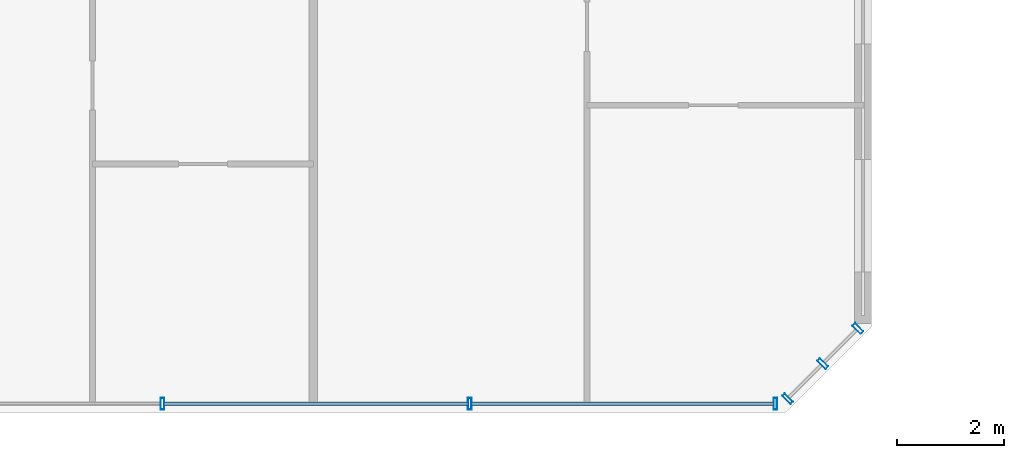
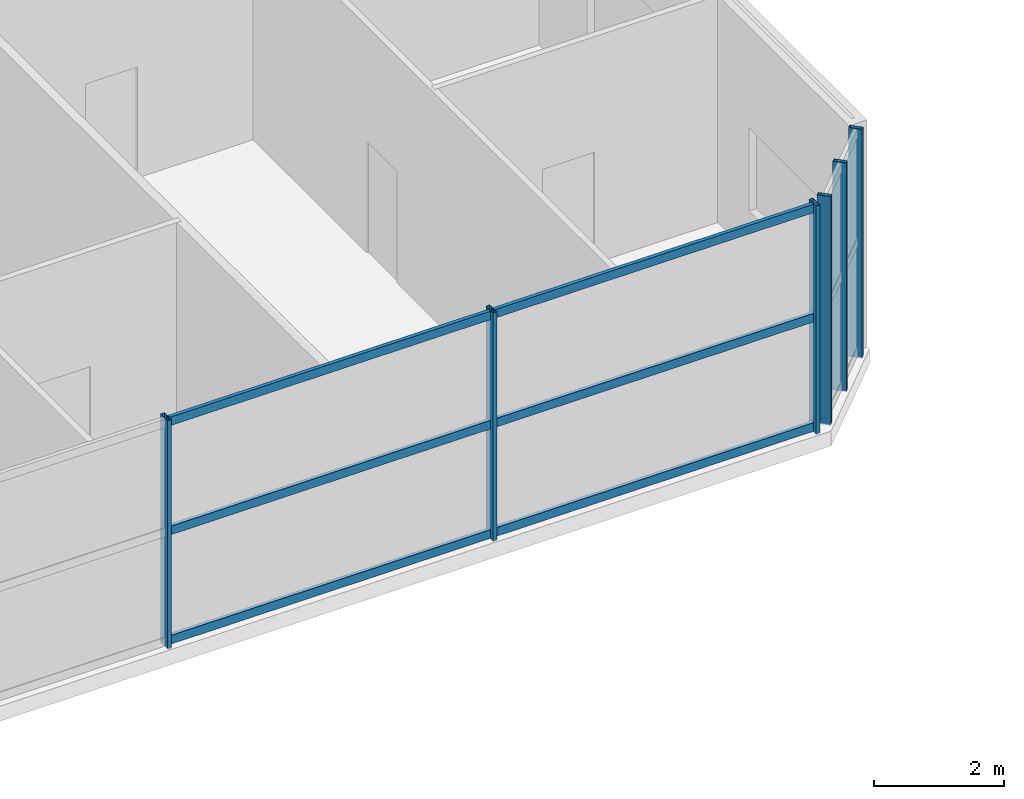
# One storey, part 6 of 21: 12 members, 2 elements without a shape of their own.
"""IFC4 building model written with IfcOpenShell, lengths in metres."""

from ifc_helpers import new_model, si_unit, direction, frame, origin, origin_2d, place, context, subcontext, project, spatial, hollow_rectangle, extrude, source, transform, mapped, material, material_profile, profile_set, type_object, element, aggregate, save


model = new_model("IFC4")

# Units and contexts
model_context = context("Model", 3, precision=1e-05, world=origin(), true_north=direction((0.0, 1.0)))
body_context = subcontext(model_context, "Body", "Model", "MODEL_VIEW")
ifc_project = project(units=[si_unit("LENGTHUNIT", "METRE"), si_unit("AREAUNIT", "SQUARE_METRE"), si_unit("VOLUMEUNIT", "CUBIC_METRE"), si_unit("PLANEANGLEUNIT", "RADIAN"), si_unit("MASSUNIT", "GRAM", prefix="KILO")], contexts=[model_context])

# Site, building, storey
site_placement = place(None, origin())
site = spatial("IfcSite", under=ifc_project, at=site_placement, CompositionType="ELEMENT")
building_placement = place(site_placement, origin())
building = spatial("IfcBuilding", under=site, at=building_placement, Name="Tlacorven Tower", CompositionType="ELEMENT")
storey_placement = place(building_placement, frame((0.0, 0.0, 199.5)))
storey = spatial("IfcBuildingStorey", under=building, at=storey_placement, Name="L50", CompositionType="ELEMENT", Elevation=199.5)

# Curtain wall, members
ifc_material_1 = material(Name="Dark solar low-E double glazing in aluminium frame", Category="aluminium")
curtain_wall_type = type_object("IfcCurtainWallType", Name="CW-COM-AMENITY", PredefinedType="USERDEFINED", material=ifc_material_1)
curtain_wall_1_placement = place(storey_placement, origin())
curtain_wall_1 = element("IfcCurtainWall", 1, at=curtain_wall_1_placement, inside=storey, type_object=curtain_wall_type, Name="L50 CW-COM-AMENITY Curtain Wall 228", ObjectType="UNITISED CURTAIN WALL", PredefinedType="USERDEFINED")
ifc_material_2 = material(Name="Aluminium 6063-T6 anodised", Category="aluminium")
ifc_material_profile_1 = material_profile(ifc_material_2, hollow_rectangle(XDim=0.070068359375, YDim=0.219970703125, WallThickness=0.0048828125, at=origin_2d()), Name="ALU MULLION 70X220")
ifc_profile_set_1 = profile_set([ifc_material_profile_1], Name="Aluminium 6063-T6 anodised")
member_type_1 = type_object("IfcMemberType", Name="CWM-01", PredefinedType="MULLION", material=ifc_profile_set_1)
shared_shape_1 = source(origin(), body_context, "Body", "SweptSolid", [
    extrude(hollow_rectangle(XDim=0.070068359375, YDim=0.219970703125, WallThickness=0.0048828125, at=origin_2d()), origin(), (0.0, 0.0, 1.0), 4.280029296875),
])
member_1_placement = place(storey_placement, frame((52.14453125, 3.370849609375, -0.02001953125), z_axis=(0.0, 0.0, 1.0), x_axis=(-0.707106781187, -0.707106781187, 0.0)))
member_1 = element("IfcMember", 2, at=member_1_placement, type_object=member_type_1, Name="CW-L50-228 Mullion 1", PredefinedType="MULLION", context=body_context, shape_type="MappedRepresentation", body=[
    mapped(shared_shape_1, transform((0.0, 0.0, 0.0), scale=1.0)),
])
member_2_placement = place(storey_placement, frame((51.48681640625, 2.713134765625, -0.02001953125), z_axis=(0.0, 0.0, 1.0), x_axis=(-0.707106781187, -0.707106781187, 0.0)))
member_2 = element("IfcMember", 3, at=member_2_placement, type_object=member_type_1, Name="CW-L50-228 Mullion 2", PredefinedType="MULLION", context=body_context, shape_type="MappedRepresentation", body=[
    mapped(shared_shape_1, transform((0.0, 0.0, 0.0), scale=1.0)),
])
member_3_placement = place(storey_placement, frame((50.8291015625, 2.055419921875, -0.02001953125), z_axis=(0.0, 0.0, 1.0), x_axis=(-0.707106781187, -0.707106781187, 0.0)))
member_3 = element("IfcMember", 4, at=member_3_placement, type_object=member_type_1, Name="CW-L50-228 Mullion 3", PredefinedType="MULLION", context=body_context, shape_type="MappedRepresentation", body=[
    mapped(shared_shape_1, transform((0.0, 0.0, 0.0), scale=1.0)),
])
aggregate(curtain_wall_1, [member_1, member_2, member_3])

curtain_wall_2_placement = place(storey_placement, origin())
curtain_wall_2 = element("IfcCurtainWall", 5, at=curtain_wall_2_placement, inside=storey, type_object=curtain_wall_type, Name="L50 CW-COM-AMENITY Curtain Wall 229", ObjectType="UNITISED CURTAIN WALL", PredefinedType="USERDEFINED")
member_4_placement = place(storey_placement, frame((50.5986328125, 1.9599609375, -0.02001953125), z_axis=(0.0, 0.0, 1.0), x_axis=(-1.0, 0.0, 0.0)))
member_4 = element("IfcMember", 6, at=member_4_placement, type_object=member_type_1, Name="CW-L50-229 Mullion 1", PredefinedType="MULLION", context=body_context, shape_type="MappedRepresentation", body=[
    mapped(shared_shape_1, transform((0.0, 0.0, 0.0), scale=1.0)),
])
member_5_placement = place(storey_placement, frame((44.8779296875, 1.9599609375, -0.02001953125), z_axis=(0.0, 0.0, 1.0), x_axis=(-1.0, 0.0, 0.0)))
member_5 = element("IfcMember", 7, at=member_5_placement, type_object=member_type_1, Name="CW-L50-229 Mullion 2", PredefinedType="MULLION", context=body_context, shape_type="MappedRepresentation", body=[
    mapped(shared_shape_1, transform((0.0, 0.0, 0.0), scale=1.0)),
])
member_6_placement = place(storey_placement, frame((39.1220703125, 1.9599609375, -0.02001953125), z_axis=(0.0, 0.0, 1.0), x_axis=(-1.0, 0.0, 0.0)))
member_6 = element("IfcMember", 8, at=member_6_placement, type_object=member_type_1, Name="CW-L50-229 Mullion 3", PredefinedType="MULLION", context=body_context, shape_type="MappedRepresentation", body=[
    mapped(shared_shape_1, transform((0.0, 0.0, 0.0), scale=1.0)),
])
ifc_material_profile_2 = material_profile(ifc_material_2, hollow_rectangle(XDim=0.06494140625, YDim=0.159912109375, WallThickness=0.00390625, at=origin_2d()), Name="ALU TRANSOM 65X160")
ifc_profile_set_2 = profile_set([ifc_material_profile_2], Name="Aluminium 6063-T6 anodised")
member_type_2 = type_object("IfcMemberType", Name="CWT-01", PredefinedType="USERDEFINED", material=ifc_profile_set_2)
shared_shape_2 = source(origin(), body_context, "Body", "SweptSolid", [
    extrude(hollow_rectangle(XDim=0.06494140625, YDim=0.159912109375, WallThickness=0.00390625, at=origin_2d()), origin(), (0.0, 0.0, 1.0), 5.6748046875),
])
member_7_placement = place(storey_placement, frame((50.57568359375, 1.9599609375, 0.080078125), z_axis=(-1.0, 0.0, 0.0), x_axis=(0.0, -1.0, 0.0)))
member_7 = element("IfcMember", 9, at=member_7_placement, type_object=member_type_2, Name="CW-L50-229 Transom 1", ObjectType="TRANSOM", PredefinedType="USERDEFINED", context=body_context, shape_type="MappedRepresentation", body=[
    mapped(shared_shape_2, transform((0.0, 0.0, 0.0), scale=1.0)),
])
member_8_placement = place(storey_placement, frame((50.57568359375, 1.9599609375, 2.125), z_axis=(-1.0, 0.0, 0.0), x_axis=(0.0, -1.0, 0.0)))
member_8 = element("IfcMember", 10, at=member_8_placement, type_object=member_type_2, Name="CW-L50-229 Transom 2", ObjectType="TRANSOM", PredefinedType="USERDEFINED", context=body_context, shape_type="MappedRepresentation", body=[
    mapped(shared_shape_2, transform((0.0, 0.0, 0.0), scale=1.0)),
])
member_9_placement = place(storey_placement, frame((50.57568359375, 1.9599609375, 4.169921875), z_axis=(-1.0, 0.0, 0.0), x_axis=(0.0, -1.0, 0.0)))
member_9 = element("IfcMember", 11, at=member_9_placement, type_object=member_type_2, Name="CW-L50-229 Transom 3", ObjectType="TRANSOM", PredefinedType="USERDEFINED", context=body_context, shape_type="MappedRepresentation", body=[
    mapped(shared_shape_2, transform((0.0, 0.0, 0.0), scale=1.0)),
])
shared_shape_3 = source(origin(), body_context, "Body", "SweptSolid", [
    extrude(hollow_rectangle(XDim=0.06494140625, YDim=0.159912109375, WallThickness=0.00390625, at=origin_2d()), origin(), (0.0, 0.0, 1.0), 5.7099609375),
])
member_10_placement = place(storey_placement, frame((44.85498046875, 1.9599609375, 0.080078125), z_axis=(-1.0, 0.0, 0.0), x_axis=(0.0, -1.0, 0.0)))
member_10 = element("IfcMember", 12, at=member_10_placement, type_object=member_type_2, Name="CW-L50-229 Transom 4", ObjectType="TRANSOM", PredefinedType="USERDEFINED", context=body_context, shape_type="MappedRepresentation", body=[
    mapped(shared_shape_3, transform((0.0, 0.0, 0.0), scale=1.0)),
])
member_11_placement = place(storey_placement, frame((44.85498046875, 1.9599609375, 2.125), z_axis=(-1.0, 0.0, 0.0), x_axis=(0.0, -1.0, 0.0)))
member_11 = element("IfcMember", 13, at=member_11_placement, type_object=member_type_2, Name="CW-L50-229 Transom 5", ObjectType="TRANSOM", PredefinedType="USERDEFINED", context=body_context, shape_type="MappedRepresentation", body=[
    mapped(shared_shape_3, transform((0.0, 0.0, 0.0), scale=1.0)),
])
member_12_placement = place(storey_placement, frame((44.85498046875, 1.9599609375, 4.169921875), z_axis=(-1.0, 0.0, 0.0), x_axis=(0.0, -1.0, 0.0)))
member_12 = element("IfcMember", 14, at=member_12_placement, type_object=member_type_2, Name="CW-L50-229 Transom 6", ObjectType="TRANSOM", PredefinedType="USERDEFINED", context=body_context, shape_type="MappedRepresentation", body=[
    mapped(shared_shape_3, transform((0.0, 0.0, 0.0), scale=1.0)),
])
aggregate(curtain_wall_2, [member_4, member_5, member_6, member_7, member_8, member_9, member_10, member_11, member_12])

save(model, "model.ifc")
